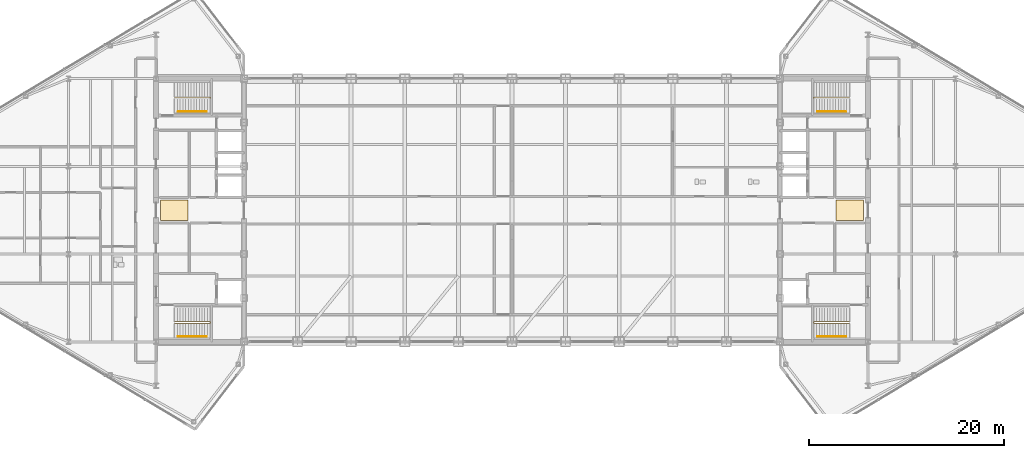
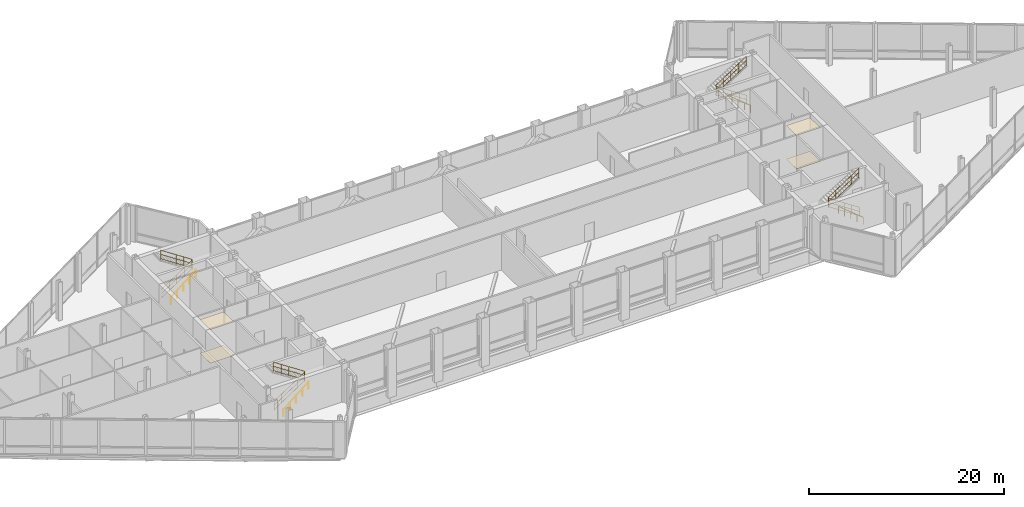
# One storey, part 28 of 29: 8 railings, 4 coverings.
"""IFC4 building model written with IfcOpenShell, lengths in metres."""

from ifc_helpers import new_model, si_unit, direction, frame, origin, origin_2d, place, context, subcontext, project, spatial, polyline, circle, outline, extrude, material, layer, layer_set, type_object, element, save


model = new_model("IFC4")

# Units and contexts
model_context = context("Model", 3, precision=1e-05, world=origin(), true_north=direction((0.0, 1.0)))
body_context = subcontext(model_context, "Body", "Model", "MODEL_VIEW")
ifc_project = project(units=[si_unit("LENGTHUNIT", "METRE"), si_unit("AREAUNIT", "SQUARE_METRE"), si_unit("VOLUMEUNIT", "CUBIC_METRE"), si_unit("PLANEANGLEUNIT", "RADIAN"), si_unit("MASSUNIT", "GRAM", prefix="KILO")], contexts=[model_context])

# Site, building, storey
site_placement = place(None, origin())
site = spatial("IfcSite", under=ifc_project, at=site_placement, CompositionType="ELEMENT")
building_placement = place(site_placement, origin())
building = spatial("IfcBuilding", under=site, at=building_placement, Name="Seokmaru Belvedere", CompositionType="ELEMENT")
storey_placement = place(building_placement, frame((0.0, 0.0, 229.800048828125)))
storey = spatial("IfcBuildingStorey", under=building, at=storey_placement, Name="L61", CompositionType="ELEMENT", Elevation=229.800048828125)

# Coverings
ifc_material_1 = material(Name="Honed Incheon Granite Stone", Category="masonry")
ifc_layer_1 = layer(ifc_material_1, 0.030029296875)
ifc_layer_set_1 = layer_set([ifc_layer_1], Name="Honed Incheon Granite Stone")
covering_type_1 = type_object("IfcCoveringType", Name="Honed Granite Lobby Floor Finish 30", PredefinedType="FLOORING", material=ifc_layer_set_1)
covering_1_placement = place(storey_placement, origin())
element("IfcCovering", 1, at=covering_1_placement, inside=storey, type_object=covering_type_1, Name="L61 W Foyer Floor Finish", PredefinedType="FLOORING", context=body_context, shape_type="SweptSolid", body=[
    extrude(outline(polyline([(-36.050048828125, -1.050048828125), (-33.25, -1.050048828125), (-33.25, 1.050048828125), (-36.050048828125, 1.050048828125), (-36.050048828125, -1.050048828125)])), origin(), (0.0, 0.0, 1.0), 0.030029296875),
])
covering_2_placement = place(storey_placement, origin())
element("IfcCovering", 2, at=covering_2_placement, inside=storey, type_object=covering_type_1, Name="L61 E Foyer Floor Finish", PredefinedType="FLOORING", context=body_context, shape_type="SweptSolid", body=[
    extrude(outline(polyline([(33.25, -1.050048828125), (36.050048828125, -1.050048828125), (36.050048828125, 1.050048828125), (33.25, 1.050048828125), (33.25, -1.050048828125)])), origin(), (0.0, 0.0, 1.0), 0.030029296875),
])
ifc_material_2 = material(Name="Fire-Rated Gypsum Shaftwall")
ifc_layer_2 = layer(ifc_material_2, 0.02490234375)
ifc_layer_set_2 = layer_set([ifc_layer_2], Name="Fire-Rated Gypsum Shaftwall")
covering_type_2 = type_object("IfcCoveringType", Name="Perforated Acoustic Gypsum Suspended Ceiling 25", PredefinedType="CEILING", material=ifc_layer_set_2)
covering_3_placement = place(storey_placement, frame((0.0, 0.0, 4.18994140625)))
element("IfcCovering", 3, at=covering_3_placement, inside=storey, type_object=covering_type_2, Name="L61 W Lift Foyer Acoustic Ceiling", PredefinedType="CEILING", context=body_context, shape_type="SweptSolid", body=[
    extrude(outline(polyline([(-36.050048828125, -1.050048828125), (-33.25, -1.050048828125), (-33.25, 1.050048828125), (-36.050048828125, 1.050048828125), (-36.050048828125, -1.050048828125)])), origin(), (0.0, 0.0, 1.0), 0.02490234375),
])
covering_4_placement = place(storey_placement, frame((0.0, 0.0, 4.18994140625)))
element("IfcCovering", 4, at=covering_4_placement, inside=storey, type_object=covering_type_2, Name="L61 E Lift Foyer Acoustic Ceiling", PredefinedType="CEILING", context=body_context, shape_type="SweptSolid", body=[
    extrude(outline(polyline([(33.25, -1.050048828125), (36.050048828125, -1.050048828125), (36.050048828125, 1.050048828125), (33.25, 1.050048828125), (33.25, -1.050048828125)])), origin(), (0.0, 0.0, 1.0), 0.02490234375),
])

# Railings
ifc_material_3 = material(Name="Stainless Steel 316", Category="steel")
railing_type_1 = type_object("IfcRailingType", Name="Stainless Steel Wall and Flight Handrail 900", PredefinedType="HANDRAIL", material=ifc_material_3)
for number, where, name in (
    (5, (-34.25, -12.949951171875, 0.0), "L61 Stair ST-W1 Wall Handrail"),
    (6, (-34.25, 10.110107421875, 0.0), "L61 Stair ST-W2 Wall Handrail"),
):
    element("IfcRailing", number, at=place(storey_placement, frame(where)), inside=storey, type_object=railing_type_1, Name=name, PredefinedType="HANDRAIL", context=body_context, shape_type="SweptSolid", body=[
        extrude(circle(Radius=0.02392578125, at=origin_2d()), frame((0.0, 0.0, 0.8759765625), z_axis=(0.774667631543, 0.0, 0.632368611365), x_axis=(0.0, 1.0, 0.0)), (0.0, 0.0, 1.0), 3.795166015625),
        extrude(circle(Radius=0.02099609375, at=origin_2d()), origin(), (0.0, 0.0, 1.0), 0.851806640625),
        extrude(circle(Radius=0.02099609375, at=origin_2d()), frame((0.73486328125, 0.0, 0.60009765625)), (0.0, 0.0, 1.0), 0.851806640625),
        extrude(circle(Radius=0.02099609375, at=origin_2d()), frame((1.469970703125, 0.0, 1.199951171875)), (0.0, 0.0, 1.0), 0.851806640625),
        extrude(circle(Radius=0.02099609375, at=origin_2d()), frame((2.205078125, 0.0, 1.7998046875)), (0.0, 0.0, 1.0), 0.851806640625),
        extrude(circle(Radius=0.02099609375, at=origin_2d()), frame((2.93994140625, 0.0, 2.39990234375)), (0.0, 0.0, 1.0), 0.851806640625),
    ])
for number, where, name in (
    (7, (34.25, -12.949951171875, 0.0), "L61 Stair ST-E1 Wall Handrail"),
    (8, (34.25, 10.110107421875, 0.0), "L61 Stair ST-E2 Wall Handrail"),
):
    element("IfcRailing", number, at=place(storey_placement, frame(where)), inside=storey, type_object=railing_type_1, Name=name, PredefinedType="HANDRAIL", context=body_context, shape_type="SweptSolid", body=[
        extrude(circle(Radius=0.02392578125, at=origin_2d()), frame((0.0, 0.0, 0.8759765625), z_axis=(-0.774667631543, 0.0, 0.632368611365), x_axis=(0.0, -1.0, 0.0)), (0.0, 0.0, 1.0), 3.795166015625),
        extrude(circle(Radius=0.02099609375, at=origin_2d()), origin(), (0.0, 0.0, 1.0), 0.851806640625),
        extrude(circle(Radius=0.02099609375, at=origin_2d()), frame((-0.73486328125, 0.0, 0.60009765625)), (0.0, 0.0, 1.0), 0.851806640625),
        extrude(circle(Radius=0.02099609375, at=origin_2d()), frame((-1.469970703125, 0.0, 1.199951171875)), (0.0, 0.0, 1.0), 0.851806640625),
        extrude(circle(Radius=0.02099609375, at=origin_2d()), frame((-2.205078125, 0.0, 1.7998046875)), (0.0, 0.0, 1.0), 0.851806640625),
        extrude(circle(Radius=0.02099609375, at=origin_2d()), frame((-2.93994140625, 0.0, 2.39990234375)), (0.0, 0.0, 1.0), 0.851806640625),
    ])
railing_type_2 = type_object("IfcRailingType", Name="Stair Well and Atrium Steel Guardrail 1200", PredefinedType="GUARDRAIL", material=ifc_material_3)
railing_1_placement = place(storey_placement, frame((-34.60009765625, -11.60009765625, 0.0)))
element("IfcRailing", 9, at=railing_1_placement, inside=storey, type_object=railing_type_2, Name="L61 Stair ST-W1 Inner Well Guardrail", PredefinedType="GUARDRAIL", context=body_context, shape_type="SweptSolid", body=[
    extrude(circle(Radius=0.02392578125, at=origin_2d()), frame((0.0, 0.0, 1.17578125), z_axis=(0.83488217925, 0.0, 0.55042869363), x_axis=(0.0, 1.0, 0.0)), (0.0, 0.0, 1.0), 4.360107421875),
    extrude(circle(Radius=0.02392578125, at=origin_2d()), frame((0.0, 0.0, 0.1201171875), z_axis=(0.83488217925, 0.0, 0.55042869363), x_axis=(0.0, 1.0, 0.0)), (0.0, 0.0, 1.0), 4.360107421875),
    extrude(circle(Radius=0.02392578125, at=origin_2d()), frame((0.0, 0.0, 0.659912109375), z_axis=(0.83488217925, 0.0, 0.55042869363), x_axis=(0.0, 1.0, 0.0)), (0.0, 0.0, 1.0), 4.360107421875),
    extrude(circle(Radius=0.02392578125, at=origin_2d()), frame((3.64013671875, 0.0, 3.57568359375), z_axis=(0.0, 1.0, 0.0), x_axis=(-1.0, 0.0, 0.0)), (0.0, 0.0, 1.0), 0.14013671875),
    extrude(circle(Radius=0.02392578125, at=origin_2d()), frame((3.64013671875, 0.0, 2.52001953125), z_axis=(0.0, 1.0, 0.0), x_axis=(-1.0, 0.0, 0.0)), (0.0, 0.0, 1.0), 0.14013671875),
    extrude(circle(Radius=0.02392578125, at=origin_2d()), frame((3.64013671875, 0.0, 3.059814453125), z_axis=(0.0, 1.0, 0.0), x_axis=(-1.0, 0.0, 0.0)), (0.0, 0.0, 1.0), 0.14013671875),
    extrude(circle(Radius=0.02392578125, at=origin_2d()), frame((3.64013671875, 0.14013671875, 3.57568359375), z_axis=(-0.834856447115, 0.0, 0.55046772177), x_axis=(0.0, -1.0, 0.0)), (0.0, 0.0, 1.0), 4.360107421875),
    extrude(circle(Radius=0.02392578125, at=origin_2d()), frame((3.64013671875, 0.14013671875, 2.52001953125), z_axis=(-0.834856447115, 0.0, 0.55046772177), x_axis=(0.0, -1.0, 0.0)), (0.0, 0.0, 1.0), 4.360107421875),
    extrude(circle(Radius=0.02392578125, at=origin_2d()), frame((3.64013671875, 0.14013671875, 3.059814453125), z_axis=(-0.834856447115, 0.0, 0.55046772177), x_axis=(0.0, -1.0, 0.0)), (0.0, 0.0, 1.0), 4.360107421875),
    extrude(circle(Radius=0.02099609375, at=origin_2d()), origin(), (0.0, 0.0, 1.0), 1.15185546875),
    extrude(circle(Radius=0.02099609375, at=origin_2d()), frame((0.91015625, 0.0, 0.60009765625)), (0.0, 0.0, 1.0), 1.15185546875),
    extrude(circle(Radius=0.02099609375, at=origin_2d()), frame((1.820068359375, 0.0, 1.199951171875)), (0.0, 0.0, 1.0), 1.15185546875),
    extrude(circle(Radius=0.02099609375, at=origin_2d()), frame((2.72998046875, 0.0, 1.7998046875)), (0.0, 0.0, 1.0), 1.15185546875),
    extrude(circle(Radius=0.02099609375, at=origin_2d()), frame((3.64013671875, 0.0, 2.39990234375)), (0.0, 0.0, 1.0), 1.15185546875),
    extrude(circle(Radius=0.02099609375, at=origin_2d()), frame((3.64013671875, 0.14013671875, 2.39990234375)), (0.0, 0.0, 1.0), 1.15185546875),
    extrude(circle(Radius=0.02099609375, at=origin_2d()), frame((2.72998046875, 0.14013671875, 3.0)), (0.0, 0.0, 1.0), 1.15185546875),
    extrude(circle(Radius=0.02099609375, at=origin_2d()), frame((1.820068359375, 0.14013671875, 3.60009765625)), (0.0, 0.0, 1.0), 1.15185546875),
    extrude(circle(Radius=0.02099609375, at=origin_2d()), frame((0.91015625, 0.14013671875, 4.199951171875)), (0.0, 0.0, 1.0), 1.15185546875),
    extrude(circle(Radius=0.02099609375, at=origin_2d()), frame((0.0, 0.14013671875, 4.800048828125)), (0.0, 0.0, 1.0), 1.15185546875),
])
railing_2_placement = place(storey_placement, frame((-34.60009765625, 11.4599609375, 0.0)))
element("IfcRailing", 10, at=railing_2_placement, inside=storey, type_object=railing_type_2, Name="L61 Stair ST-W2 Inner Well Guardrail", PredefinedType="GUARDRAIL", context=body_context, shape_type="SweptSolid", body=[
    extrude(circle(Radius=0.02392578125, at=origin_2d()), frame((0.0, 0.0, 1.17578125), z_axis=(0.83488217925, 0.0, 0.55042869363), x_axis=(0.0, 1.0, 0.0)), (0.0, 0.0, 1.0), 4.360107421875),
    extrude(circle(Radius=0.02392578125, at=origin_2d()), frame((0.0, 0.0, 0.1201171875), z_axis=(0.83488217925, 0.0, 0.55042869363), x_axis=(0.0, 1.0, 0.0)), (0.0, 0.0, 1.0), 4.360107421875),
    extrude(circle(Radius=0.02392578125, at=origin_2d()), frame((0.0, 0.0, 0.659912109375), z_axis=(0.83488217925, 0.0, 0.55042869363), x_axis=(0.0, 1.0, 0.0)), (0.0, 0.0, 1.0), 4.360107421875),
    extrude(circle(Radius=0.02392578125, at=origin_2d()), frame((3.64013671875, 0.0, 3.57568359375), z_axis=(0.0, 1.0, 0.0), x_axis=(-1.0, 0.0, 0.0)), (0.0, 0.0, 1.0), 0.14013671875),
    extrude(circle(Radius=0.02392578125, at=origin_2d()), frame((3.64013671875, 0.0, 2.52001953125), z_axis=(0.0, 1.0, 0.0), x_axis=(-1.0, 0.0, 0.0)), (0.0, 0.0, 1.0), 0.14013671875),
    extrude(circle(Radius=0.02392578125, at=origin_2d()), frame((3.64013671875, 0.0, 3.059814453125), z_axis=(0.0, 1.0, 0.0), x_axis=(-1.0, 0.0, 0.0)), (0.0, 0.0, 1.0), 0.14013671875),
    extrude(circle(Radius=0.02392578125, at=origin_2d()), frame((3.64013671875, 0.14013671875, 3.57568359375), z_axis=(-0.834856447115, 0.0, 0.55046772177), x_axis=(0.0, -1.0, 0.0)), (0.0, 0.0, 1.0), 4.360107421875),
    extrude(circle(Radius=0.02392578125, at=origin_2d()), frame((3.64013671875, 0.14013671875, 2.52001953125), z_axis=(-0.834856447115, 0.0, 0.55046772177), x_axis=(0.0, -1.0, 0.0)), (0.0, 0.0, 1.0), 4.360107421875),
    extrude(circle(Radius=0.02392578125, at=origin_2d()), frame((3.64013671875, 0.14013671875, 3.059814453125), z_axis=(-0.834856447115, 0.0, 0.55046772177), x_axis=(0.0, -1.0, 0.0)), (0.0, 0.0, 1.0), 4.360107421875),
    extrude(circle(Radius=0.02099609375, at=origin_2d()), origin(), (0.0, 0.0, 1.0), 1.15185546875),
    extrude(circle(Radius=0.02099609375, at=origin_2d()), frame((0.91015625, 0.0, 0.60009765625)), (0.0, 0.0, 1.0), 1.15185546875),
    extrude(circle(Radius=0.02099609375, at=origin_2d()), frame((1.820068359375, 0.0, 1.199951171875)), (0.0, 0.0, 1.0), 1.15185546875),
    extrude(circle(Radius=0.02099609375, at=origin_2d()), frame((2.72998046875, 0.0, 1.7998046875)), (0.0, 0.0, 1.0), 1.15185546875),
    extrude(circle(Radius=0.02099609375, at=origin_2d()), frame((3.64013671875, 0.0, 2.39990234375)), (0.0, 0.0, 1.0), 1.15185546875),
    extrude(circle(Radius=0.02099609375, at=origin_2d()), frame((3.64013671875, 0.14013671875, 2.39990234375)), (0.0, 0.0, 1.0), 1.15185546875),
    extrude(circle(Radius=0.02099609375, at=origin_2d()), frame((2.72998046875, 0.14013671875, 3.0)), (0.0, 0.0, 1.0), 1.15185546875),
    extrude(circle(Radius=0.02099609375, at=origin_2d()), frame((1.820068359375, 0.14013671875, 3.60009765625)), (0.0, 0.0, 1.0), 1.15185546875),
    extrude(circle(Radius=0.02099609375, at=origin_2d()), frame((0.91015625, 0.14013671875, 4.199951171875)), (0.0, 0.0, 1.0), 1.15185546875),
    extrude(circle(Radius=0.02099609375, at=origin_2d()), frame((0.0, 0.14013671875, 4.800048828125)), (0.0, 0.0, 1.0), 1.15185546875),
])
railing_3_placement = place(storey_placement, frame((34.60009765625, -11.60009765625, 0.0)))
element("IfcRailing", 11, at=railing_3_placement, inside=storey, type_object=railing_type_2, Name="L61 Stair ST-E1 Inner Well Guardrail", PredefinedType="GUARDRAIL", context=body_context, shape_type="SweptSolid", body=[
    extrude(circle(Radius=0.02392578125, at=origin_2d()), frame((0.0, 0.0, 1.17578125), z_axis=(-0.83488217925, 0.0, 0.55042869363), x_axis=(0.0, -1.0, 0.0)), (0.0, 0.0, 1.0), 4.360107421875),
    extrude(circle(Radius=0.02392578125, at=origin_2d()), frame((0.0, 0.0, 0.1201171875), z_axis=(-0.83488217925, 0.0, 0.55042869363), x_axis=(0.0, -1.0, 0.0)), (0.0, 0.0, 1.0), 4.360107421875),
    extrude(circle(Radius=0.02392578125, at=origin_2d()), frame((0.0, 0.0, 0.659912109375), z_axis=(-0.83488217925, 0.0, 0.55042869363), x_axis=(0.0, -1.0, 0.0)), (0.0, 0.0, 1.0), 4.360107421875),
    extrude(circle(Radius=0.02392578125, at=origin_2d()), frame((-3.64013671875, 0.0, 3.57568359375), z_axis=(0.0, 1.0, 0.0), x_axis=(-1.0, 0.0, 0.0)), (0.0, 0.0, 1.0), 0.14013671875),
    extrude(circle(Radius=0.02392578125, at=origin_2d()), frame((-3.64013671875, 0.0, 2.52001953125), z_axis=(0.0, 1.0, 0.0), x_axis=(-1.0, 0.0, 0.0)), (0.0, 0.0, 1.0), 0.14013671875),
    extrude(circle(Radius=0.02392578125, at=origin_2d()), frame((-3.64013671875, 0.0, 3.059814453125), z_axis=(0.0, 1.0, 0.0), x_axis=(-1.0, 0.0, 0.0)), (0.0, 0.0, 1.0), 0.14013671875),
    extrude(circle(Radius=0.02392578125, at=origin_2d()), frame((-3.64013671875, 0.14013671875, 3.57568359375), z_axis=(0.834856447115, 0.0, 0.55046772177), x_axis=(0.0, 1.0, 0.0)), (0.0, 0.0, 1.0), 4.360107421875),
    extrude(circle(Radius=0.02392578125, at=origin_2d()), frame((-3.64013671875, 0.14013671875, 2.52001953125), z_axis=(0.834856447115, 0.0, 0.55046772177), x_axis=(0.0, 1.0, 0.0)), (0.0, 0.0, 1.0), 4.360107421875),
    extrude(circle(Radius=0.02392578125, at=origin_2d()), frame((-3.64013671875, 0.14013671875, 3.059814453125), z_axis=(0.834856447115, 0.0, 0.55046772177), x_axis=(0.0, 1.0, 0.0)), (0.0, 0.0, 1.0), 4.360107421875),
    extrude(circle(Radius=0.02099609375, at=origin_2d()), origin(), (0.0, 0.0, 1.0), 1.15185546875),
    extrude(circle(Radius=0.02099609375, at=origin_2d()), frame((-0.91015625, 0.0, 0.60009765625)), (0.0, 0.0, 1.0), 1.15185546875),
    extrude(circle(Radius=0.02099609375, at=origin_2d()), frame((-1.820068359375, 0.0, 1.199951171875)), (0.0, 0.0, 1.0), 1.15185546875),
    extrude(circle(Radius=0.02099609375, at=origin_2d()), frame((-2.72998046875, 0.0, 1.7998046875)), (0.0, 0.0, 1.0), 1.15185546875),
    extrude(circle(Radius=0.02099609375, at=origin_2d()), frame((-3.64013671875, 0.0, 2.39990234375)), (0.0, 0.0, 1.0), 1.15185546875),
    extrude(circle(Radius=0.02099609375, at=origin_2d()), frame((-3.64013671875, 0.14013671875, 2.39990234375)), (0.0, 0.0, 1.0), 1.15185546875),
    extrude(circle(Radius=0.02099609375, at=origin_2d()), frame((-2.72998046875, 0.14013671875, 3.0)), (0.0, 0.0, 1.0), 1.15185546875),
    extrude(circle(Radius=0.02099609375, at=origin_2d()), frame((-1.820068359375, 0.14013671875, 3.60009765625)), (0.0, 0.0, 1.0), 1.15185546875),
    extrude(circle(Radius=0.02099609375, at=origin_2d()), frame((-0.91015625, 0.14013671875, 4.199951171875)), (0.0, 0.0, 1.0), 1.15185546875),
    extrude(circle(Radius=0.02099609375, at=origin_2d()), frame((0.0, 0.14013671875, 4.800048828125)), (0.0, 0.0, 1.0), 1.15185546875),
])
railing_4_placement = place(storey_placement, frame((34.60009765625, 11.4599609375, 0.0)))
element("IfcRailing", 12, at=railing_4_placement, inside=storey, type_object=railing_type_2, Name="L61 Stair ST-E2 Inner Well Guardrail", PredefinedType="GUARDRAIL", context=body_context, shape_type="SweptSolid", body=[
    extrude(circle(Radius=0.02392578125, at=origin_2d()), frame((0.0, 0.0, 1.17578125), z_axis=(-0.83488217925, 0.0, 0.55042869363), x_axis=(0.0, -1.0, 0.0)), (0.0, 0.0, 1.0), 4.360107421875),
    extrude(circle(Radius=0.02392578125, at=origin_2d()), frame((0.0, 0.0, 0.1201171875), z_axis=(-0.83488217925, 0.0, 0.55042869363), x_axis=(0.0, -1.0, 0.0)), (0.0, 0.0, 1.0), 4.360107421875),
    extrude(circle(Radius=0.02392578125, at=origin_2d()), frame((0.0, 0.0, 0.659912109375), z_axis=(-0.83488217925, 0.0, 0.55042869363), x_axis=(0.0, -1.0, 0.0)), (0.0, 0.0, 1.0), 4.360107421875),
    extrude(circle(Radius=0.02392578125, at=origin_2d()), frame((-3.64013671875, 0.0, 3.57568359375), z_axis=(0.0, 1.0, 0.0), x_axis=(-1.0, 0.0, 0.0)), (0.0, 0.0, 1.0), 0.14013671875),
    extrude(circle(Radius=0.02392578125, at=origin_2d()), frame((-3.64013671875, 0.0, 2.52001953125), z_axis=(0.0, 1.0, 0.0), x_axis=(-1.0, 0.0, 0.0)), (0.0, 0.0, 1.0), 0.14013671875),
    extrude(circle(Radius=0.02392578125, at=origin_2d()), frame((-3.64013671875, 0.0, 3.059814453125), z_axis=(0.0, 1.0, 0.0), x_axis=(-1.0, 0.0, 0.0)), (0.0, 0.0, 1.0), 0.14013671875),
    extrude(circle(Radius=0.02392578125, at=origin_2d()), frame((-3.64013671875, 0.14013671875, 3.57568359375), z_axis=(0.834856447115, 0.0, 0.55046772177), x_axis=(0.0, 1.0, 0.0)), (0.0, 0.0, 1.0), 4.360107421875),
    extrude(circle(Radius=0.02392578125, at=origin_2d()), frame((-3.64013671875, 0.14013671875, 2.52001953125), z_axis=(0.834856447115, 0.0, 0.55046772177), x_axis=(0.0, 1.0, 0.0)), (0.0, 0.0, 1.0), 4.360107421875),
    extrude(circle(Radius=0.02392578125, at=origin_2d()), frame((-3.64013671875, 0.14013671875, 3.059814453125), z_axis=(0.834856447115, 0.0, 0.55046772177), x_axis=(0.0, 1.0, 0.0)), (0.0, 0.0, 1.0), 4.360107421875),
    extrude(circle(Radius=0.02099609375, at=origin_2d()), origin(), (0.0, 0.0, 1.0), 1.15185546875),
    extrude(circle(Radius=0.02099609375, at=origin_2d()), frame((-0.91015625, 0.0, 0.60009765625)), (0.0, 0.0, 1.0), 1.15185546875),
    extrude(circle(Radius=0.02099609375, at=origin_2d()), frame((-1.820068359375, 0.0, 1.199951171875)), (0.0, 0.0, 1.0), 1.15185546875),
    extrude(circle(Radius=0.02099609375, at=origin_2d()), frame((-2.72998046875, 0.0, 1.7998046875)), (0.0, 0.0, 1.0), 1.15185546875),
    extrude(circle(Radius=0.02099609375, at=origin_2d()), frame((-3.64013671875, 0.0, 2.39990234375)), (0.0, 0.0, 1.0), 1.15185546875),
    extrude(circle(Radius=0.02099609375, at=origin_2d()), frame((-3.64013671875, 0.14013671875, 2.39990234375)), (0.0, 0.0, 1.0), 1.15185546875),
    extrude(circle(Radius=0.02099609375, at=origin_2d()), frame((-2.72998046875, 0.14013671875, 3.0)), (0.0, 0.0, 1.0), 1.15185546875),
    extrude(circle(Radius=0.02099609375, at=origin_2d()), frame((-1.820068359375, 0.14013671875, 3.60009765625)), (0.0, 0.0, 1.0), 1.15185546875),
    extrude(circle(Radius=0.02099609375, at=origin_2d()), frame((-0.91015625, 0.14013671875, 4.199951171875)), (0.0, 0.0, 1.0), 1.15185546875),
    extrude(circle(Radius=0.02099609375, at=origin_2d()), frame((0.0, 0.14013671875, 4.800048828125)), (0.0, 0.0, 1.0), 1.15185546875),
])

save(model, "model.ifc")
